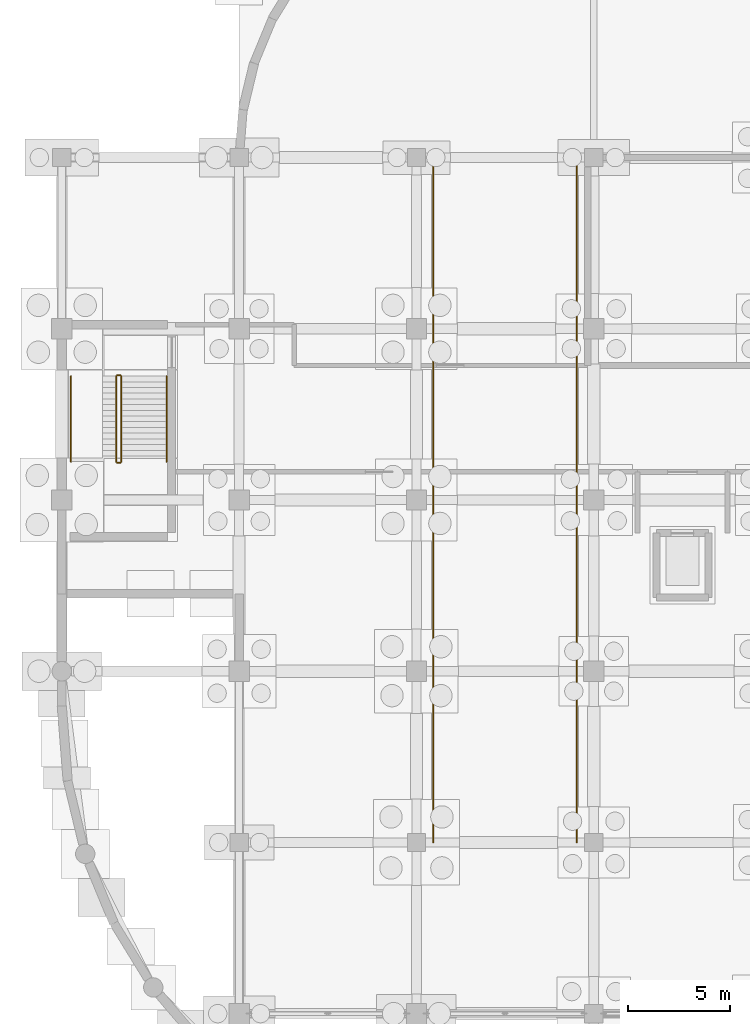
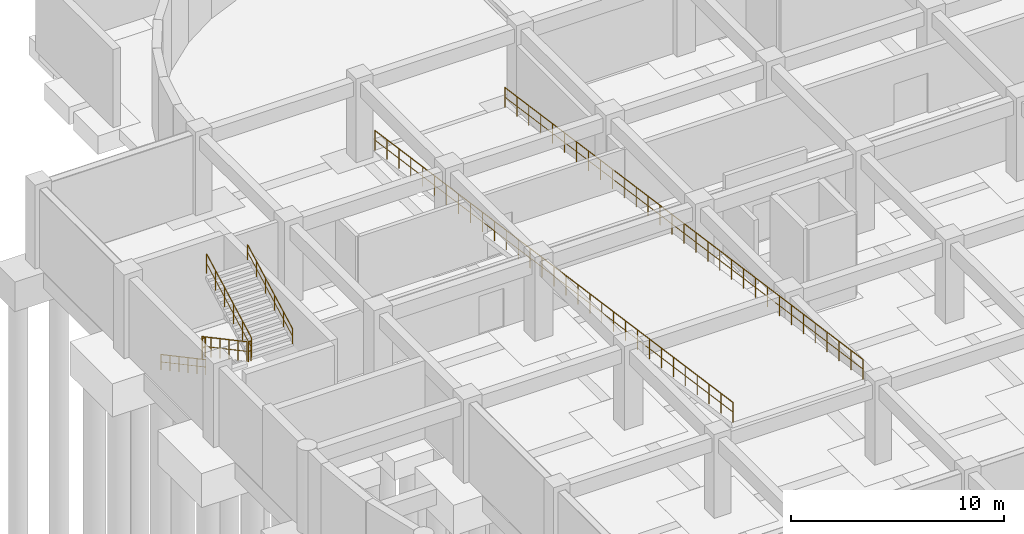
# One storey, part 30 of 33: 8 railings.
"""IFC4 building model written with IfcOpenShell, lengths in metres."""

from ifc_helpers import new_model, si_unit, derived_unit, direction, frame, origin, origin_2d, place, context, subcontext, project, spatial, circle, extrude, material, type_object, element, save


model = new_model("IFC4")

# Units and contexts
model_context = context("Model", 3, precision=1e-05, world=origin(), true_north=direction((0.0, 1.0)))
body_context = subcontext(model_context, "Body", "Model", "MODEL_VIEW")
ifc_project = project(units=[si_unit("LENGTHUNIT", "METRE"), si_unit("AREAUNIT", "SQUARE_METRE"), si_unit("VOLUMEUNIT", "CUBIC_METRE"), si_unit("PLANEANGLEUNIT", "RADIAN"), si_unit("MASSUNIT", "GRAM", prefix="KILO"), derived_unit("THERMALTRANSMITTANCEUNIT", [(si_unit("MASSUNIT", "GRAM", prefix="KILO"), 1), (si_unit("TIMEUNIT", "SECOND"), -3), (si_unit("THERMODYNAMICTEMPERATUREUNIT", "KELVIN"), -1)])], contexts=[model_context])

# Site, building, storey
site_placement = place(None, origin())
site = spatial("IfcSite", under=ifc_project, at=site_placement, CompositionType="ELEMENT")
building_placement = place(site_placement, origin())
building = spatial("IfcBuilding", under=site, at=building_placement, Name="Qinzheling Arcade Emporium", CompositionType="ELEMENT")
storey_placement = place(building_placement, frame((0.0, 0.0, -9.60009765625)))
storey = spatial("IfcBuildingStorey", under=building, at=storey_placement, Name="B2", CompositionType="ELEMENT", Elevation=-9.60009765625)

# Railings
ifc_material_1 = material(Name="Galvanised powder-coated tubular steel", Category="steel")
railing_type_1 = type_object("IfcRailingType", Name="Painted Steel Stairwell Guard Railing 1150", PredefinedType="GUARDRAIL", material=ifc_material_1)
railing_1_placement = place(storey_placement, frame((2.669921875, 39.679931640625, 0.150146484375)))
element("IfcRailing", 1, at=railing_1_placement, inside=storey, type_object=railing_type_1, Name="B2 ST02 stair guard 1", PredefinedType="GUARDRAIL", context=body_context, shape_type="SweptSolid", body=[
    extrude(circle(Radius=0.02392578125, at=origin_2d()), frame((0.0, 0.0, 1.1259765625), z_axis=(0.0, -0.881477684796, 0.472225678258), x_axis=(1.0, 0.0, 0.0)), (0.0, 0.0, 1.0), 4.7646484375),
    extrude(circle(Radius=0.01611328125, at=origin_2d()), frame((0.0, 0.0, 0.574951171875), z_axis=(0.0, -0.881477684796, 0.472225678258), x_axis=(1.0, 0.0, 0.0)), (0.0, 0.0, 1.0), 4.7646484375),
    extrude(circle(Radius=0.02099609375, at=origin_2d()), origin(), (0.0, 0.0, 1.0), 1.101806640625),
    extrude(circle(Radius=0.02099609375, at=origin_2d()), frame((0.0, -0.840087890625, 0.449951171875)), (0.0, 0.0, 1.0), 1.101806640625),
    extrude(circle(Radius=0.02099609375, at=origin_2d()), frame((0.0, -1.679931640625, 0.89990234375)), (0.0, 0.0, 1.0), 1.101806640625),
    extrude(circle(Radius=0.02099609375, at=origin_2d()), frame((0.0, -2.52001953125, 1.35009765625)), (0.0, 0.0, 1.0), 1.101806640625),
    extrude(circle(Radius=0.02099609375, at=origin_2d()), frame((0.0, -3.35986328125, 1.800048828125)), (0.0, 0.0, 1.0), 1.101806640625),
    extrude(circle(Radius=0.02099609375, at=origin_2d()), frame((0.0, -4.199951171875, 2.25)), (0.0, 0.0, 1.0), 1.101806640625),
])
railing_2_placement = place(storey_placement, frame((2.719970703125, 35.429931640625, 2.400146484375)))
element("IfcRailing", 2, at=railing_2_placement, inside=storey, type_object=railing_type_1, Name="B2 ST02 stair guard 2", PredefinedType="GUARDRAIL", context=body_context, shape_type="SweptSolid", body=[
    extrude(circle(Radius=0.02392578125, at=origin_2d()), frame((0.0, 0.0, 1.1259765625), z_axis=(1.0, 0.0, 0.0), x_axis=(0.0, 1.0, 0.0)), (0.0, 0.0, 1.0), 0.150146484375),
    extrude(circle(Radius=0.01611328125, at=origin_2d()), frame((0.0, 0.0, 0.574951171875), z_axis=(1.0, 0.0, 0.0), x_axis=(0.0, 1.0, 0.0)), (0.0, 0.0, 1.0), 0.150146484375),
    extrude(circle(Radius=0.02099609375, at=origin_2d()), origin(), (0.0, 0.0, 1.0), 1.101806640625),
    extrude(circle(Radius=0.02099609375, at=origin_2d()), frame((0.150146484375, 0.0, 0.0)), (0.0, 0.0, 1.0), 1.101806640625),
])
railing_3_placement = place(storey_placement, frame((2.919921875, 35.47998046875, 2.550048828125)))
element("IfcRailing", 3, at=railing_3_placement, inside=storey, type_object=railing_type_1, Name="B2 ST02 stair guard 3", PredefinedType="GUARDRAIL", context=body_context, shape_type="SweptSolid", body=[
    extrude(circle(Radius=0.02392578125, at=origin_2d()), frame((0.0, 0.0, 1.1259765625), z_axis=(0.0, 0.881477684796, 0.472225678258), x_axis=(-1.0, 0.0, 0.0)), (0.0, 0.0, 1.0), 4.7646484375),
    extrude(circle(Radius=0.01611328125, at=origin_2d()), frame((0.0, 0.0, 0.574951171875), z_axis=(0.0, 0.881477684796, 0.472225678258), x_axis=(-1.0, 0.0, 0.0)), (0.0, 0.0, 1.0), 4.7646484375),
    extrude(circle(Radius=0.02099609375, at=origin_2d()), origin(), (0.0, 0.0, 1.0), 1.101806640625),
    extrude(circle(Radius=0.02099609375, at=origin_2d()), frame((0.0, 0.840087890625, 0.449951171875)), (0.0, 0.0, 1.0), 1.101806640625),
    extrude(circle(Radius=0.02099609375, at=origin_2d()), frame((0.0, 1.679931640625, 0.89990234375)), (0.0, 0.0, 1.0), 1.101806640625),
    extrude(circle(Radius=0.02099609375, at=origin_2d()), frame((0.0, 2.52001953125, 1.35009765625)), (0.0, 0.0, 1.0), 1.101806640625),
    extrude(circle(Radius=0.02099609375, at=origin_2d()), frame((0.0, 3.35986328125, 1.800048828125)), (0.0, 0.0, 1.0), 1.101806640625),
    extrude(circle(Radius=0.02099609375, at=origin_2d()), frame((0.0, 4.199951171875, 2.25)), (0.0, 0.0, 1.0), 1.101806640625),
])
railing_4_placement = place(storey_placement, frame((2.719970703125, 39.72998046875, 0.0)))
element("IfcRailing", 4, at=railing_4_placement, inside=storey, type_object=railing_type_1, Name="B2 ST02 stair guard 4", PredefinedType="GUARDRAIL", context=body_context, shape_type="SweptSolid", body=[
    extrude(circle(Radius=0.02392578125, at=origin_2d()), frame((0.0, 0.0, 1.1259765625), z_axis=(1.0, 0.0, 0.0), x_axis=(0.0, 1.0, 0.0)), (0.0, 0.0, 1.0), 0.150146484375),
    extrude(circle(Radius=0.01611328125, at=origin_2d()), frame((0.0, 0.0, 0.574951171875), z_axis=(1.0, 0.0, 0.0), x_axis=(0.0, 1.0, 0.0)), (0.0, 0.0, 1.0), 0.150146484375),
    extrude(circle(Radius=0.02099609375, at=origin_2d()), origin(), (0.0, 0.0, 1.0), 1.101806640625),
    extrude(circle(Radius=0.02099609375, at=origin_2d()), frame((0.150146484375, 0.0, 0.0)), (0.0, 0.0, 1.0), 1.101806640625),
])
railing_5_placement = place(storey_placement, frame((18.22998046875, 50.39990234375, 0.0)))
element("IfcRailing", 5, at=railing_5_placement, inside=storey, type_object=railing_type_1, Name="Vehicle Ramp Guard RAMP-VR2 W", PredefinedType="GUARDRAIL", context=body_context, shape_type="SweptSolid", body=[
    extrude(circle(Radius=0.02392578125, at=origin_2d()), frame((0.0, 0.0, 1.1259765625), z_axis=(0.0, -0.989949205935, 0.141423370303), x_axis=(1.0, 0.0, 0.0)), (0.0, 0.0, 1.0), 33.94091796875),
    extrude(circle(Radius=0.01611328125, at=origin_2d()), frame((0.0, 0.0, 0.574951171875), z_axis=(0.0, -0.989949205935, 0.141423370303), x_axis=(1.0, 0.0, 0.0)), (0.0, 0.0, 1.0), 33.94091796875),
    extrude(circle(Radius=0.02099609375, at=origin_2d()), origin(), (0.0, 0.0, 1.0), 1.101806640625),
    extrude(circle(Radius=0.02099609375, at=origin_2d()), frame((0.0, -1.1201171875, 0.159912109375)), (0.0, 0.0, 1.0), 1.101806640625),
    extrude(circle(Radius=0.02099609375, at=origin_2d()), frame((0.0, -2.239990234375, 0.320068359375)), (0.0, 0.0, 1.0), 1.101806640625),
    extrude(circle(Radius=0.02099609375, at=origin_2d()), frame((0.0, -3.35986328125, 0.47998046875)), (0.0, 0.0, 1.0), 1.101806640625),
    extrude(circle(Radius=0.02099609375, at=origin_2d()), frame((0.0, -4.47998046875, 0.639892578125)), (0.0, 0.0, 1.0), 1.101806640625),
    extrude(circle(Radius=0.02099609375, at=origin_2d()), frame((0.0, -5.60009765625, 0.800048828125)), (0.0, 0.0, 1.0), 1.101806640625),
    extrude(circle(Radius=0.02099609375, at=origin_2d()), frame((0.0, -6.719970703125, 0.9599609375)), (0.0, 0.0, 1.0), 1.101806640625),
    extrude(circle(Radius=0.02099609375, at=origin_2d()), frame((0.0, -7.83984375, 1.1201171875)), (0.0, 0.0, 1.0), 1.101806640625),
    extrude(circle(Radius=0.02099609375, at=origin_2d()), frame((0.0, -8.9599609375, 1.280029296875)), (0.0, 0.0, 1.0), 1.101806640625),
    extrude(circle(Radius=0.02099609375, at=origin_2d()), frame((0.0, -10.080078125, 1.43994140625)), (0.0, 0.0, 1.0), 1.101806640625),
    extrude(circle(Radius=0.02099609375, at=origin_2d()), frame((0.0, -11.199951171875, 1.60009765625)), (0.0, 0.0, 1.0), 1.101806640625),
    extrude(circle(Radius=0.02099609375, at=origin_2d()), frame((0.0, -12.31982421875, 1.760009765625)), (0.0, 0.0, 1.0), 1.101806640625),
    extrude(circle(Radius=0.02099609375, at=origin_2d()), frame((0.0, -13.43994140625, 1.919921875)), (0.0, 0.0, 1.0), 1.101806640625),
    extrude(circle(Radius=0.02099609375, at=origin_2d()), frame((0.0, -14.56005859375, 2.080078125)), (0.0, 0.0, 1.0), 1.101806640625),
    extrude(circle(Radius=0.02099609375, at=origin_2d()), frame((0.0, -15.679931640625, 2.239990234375)), (0.0, 0.0, 1.0), 1.101806640625),
    extrude(circle(Radius=0.02099609375, at=origin_2d()), frame((0.0, -16.7998046875, 2.39990234375)), (0.0, 0.0, 1.0), 1.101806640625),
    extrude(circle(Radius=0.02099609375, at=origin_2d()), frame((0.0, -17.919921875, 2.56005859375)), (0.0, 0.0, 1.0), 1.101806640625),
    extrude(circle(Radius=0.02099609375, at=origin_2d()), frame((0.0, -19.0400390625, 2.719970703125)), (0.0, 0.0, 1.0), 1.101806640625),
    extrude(circle(Radius=0.02099609375, at=origin_2d()), frame((0.0, -20.159912109375, 2.880126953125)), (0.0, 0.0, 1.0), 1.101806640625),
    extrude(circle(Radius=0.02099609375, at=origin_2d()), frame((0.0, -21.27978515625, 3.0400390625)), (0.0, 0.0, 1.0), 1.101806640625),
    extrude(circle(Radius=0.02099609375, at=origin_2d()), frame((0.0, -22.39990234375, 3.199951171875)), (0.0, 0.0, 1.0), 1.101806640625),
    extrude(circle(Radius=0.02099609375, at=origin_2d()), frame((0.0, -23.52001953125, 3.360107421875)), (0.0, 0.0, 1.0), 1.101806640625),
    extrude(circle(Radius=0.02099609375, at=origin_2d()), frame((0.0, -24.639892578125, 3.52001953125)), (0.0, 0.0, 1.0), 1.101806640625),
    extrude(circle(Radius=0.02099609375, at=origin_2d()), frame((0.0, -25.759765625, 3.679931640625)), (0.0, 0.0, 1.0), 1.101806640625),
    extrude(circle(Radius=0.02099609375, at=origin_2d()), frame((0.0, -26.8798828125, 3.840087890625)), (0.0, 0.0, 1.0), 1.101806640625),
    extrude(circle(Radius=0.02099609375, at=origin_2d()), frame((0.0, -28.0, 4.0)), (0.0, 0.0, 1.0), 1.101806640625),
    extrude(circle(Radius=0.02099609375, at=origin_2d()), frame((0.0, -29.119873046875, 4.16015625)), (0.0, 0.0, 1.0), 1.101806640625),
    extrude(circle(Radius=0.02099609375, at=origin_2d()), frame((0.0, -30.23974609375, 4.320068359375)), (0.0, 0.0, 1.0), 1.101806640625),
    extrude(circle(Radius=0.02099609375, at=origin_2d()), frame((0.0, -31.35986328125, 4.47998046875)), (0.0, 0.0, 1.0), 1.101806640625),
    extrude(circle(Radius=0.02099609375, at=origin_2d()), frame((0.0, -32.47998046875, 4.64013671875)), (0.0, 0.0, 1.0), 1.101806640625),
    extrude(circle(Radius=0.02099609375, at=origin_2d()), frame((0.0, -33.599853515625, 4.800048828125)), (0.0, 0.0, 1.0), 1.101806640625),
])
railing_6_placement = place(storey_placement, frame((25.27001953125, 50.39990234375, 0.0)))
element("IfcRailing", 6, at=railing_6_placement, inside=storey, type_object=railing_type_1, Name="Vehicle Ramp Guard RAMP-VR2 E", PredefinedType="GUARDRAIL", context=body_context, shape_type="SweptSolid", body=[
    extrude(circle(Radius=0.02392578125, at=origin_2d()), frame((0.0, 0.0, 1.1259765625), z_axis=(0.0, -0.989949205935, 0.141423370303), x_axis=(1.0, 0.0, 0.0)), (0.0, 0.0, 1.0), 33.94091796875),
    extrude(circle(Radius=0.01611328125, at=origin_2d()), frame((0.0, 0.0, 0.574951171875), z_axis=(0.0, -0.989949205935, 0.141423370303), x_axis=(1.0, 0.0, 0.0)), (0.0, 0.0, 1.0), 33.94091796875),
    extrude(circle(Radius=0.02099609375, at=origin_2d()), origin(), (0.0, 0.0, 1.0), 1.101806640625),
    extrude(circle(Radius=0.02099609375, at=origin_2d()), frame((0.0, -1.1201171875, 0.159912109375)), (0.0, 0.0, 1.0), 1.101806640625),
    extrude(circle(Radius=0.02099609375, at=origin_2d()), frame((0.0, -2.239990234375, 0.320068359375)), (0.0, 0.0, 1.0), 1.101806640625),
    extrude(circle(Radius=0.02099609375, at=origin_2d()), frame((0.0, -3.35986328125, 0.47998046875)), (0.0, 0.0, 1.0), 1.101806640625),
    extrude(circle(Radius=0.02099609375, at=origin_2d()), frame((0.0, -4.47998046875, 0.639892578125)), (0.0, 0.0, 1.0), 1.101806640625),
    extrude(circle(Radius=0.02099609375, at=origin_2d()), frame((0.0, -5.60009765625, 0.800048828125)), (0.0, 0.0, 1.0), 1.101806640625),
    extrude(circle(Radius=0.02099609375, at=origin_2d()), frame((0.0, -6.719970703125, 0.9599609375)), (0.0, 0.0, 1.0), 1.101806640625),
    extrude(circle(Radius=0.02099609375, at=origin_2d()), frame((0.0, -7.83984375, 1.1201171875)), (0.0, 0.0, 1.0), 1.101806640625),
    extrude(circle(Radius=0.02099609375, at=origin_2d()), frame((0.0, -8.9599609375, 1.280029296875)), (0.0, 0.0, 1.0), 1.101806640625),
    extrude(circle(Radius=0.02099609375, at=origin_2d()), frame((0.0, -10.080078125, 1.43994140625)), (0.0, 0.0, 1.0), 1.101806640625),
    extrude(circle(Radius=0.02099609375, at=origin_2d()), frame((0.0, -11.199951171875, 1.60009765625)), (0.0, 0.0, 1.0), 1.101806640625),
    extrude(circle(Radius=0.02099609375, at=origin_2d()), frame((0.0, -12.31982421875, 1.760009765625)), (0.0, 0.0, 1.0), 1.101806640625),
    extrude(circle(Radius=0.02099609375, at=origin_2d()), frame((0.0, -13.43994140625, 1.919921875)), (0.0, 0.0, 1.0), 1.101806640625),
    extrude(circle(Radius=0.02099609375, at=origin_2d()), frame((0.0, -14.56005859375, 2.080078125)), (0.0, 0.0, 1.0), 1.101806640625),
    extrude(circle(Radius=0.02099609375, at=origin_2d()), frame((0.0, -15.679931640625, 2.239990234375)), (0.0, 0.0, 1.0), 1.101806640625),
    extrude(circle(Radius=0.02099609375, at=origin_2d()), frame((0.0, -16.7998046875, 2.39990234375)), (0.0, 0.0, 1.0), 1.101806640625),
    extrude(circle(Radius=0.02099609375, at=origin_2d()), frame((0.0, -17.919921875, 2.56005859375)), (0.0, 0.0, 1.0), 1.101806640625),
    extrude(circle(Radius=0.02099609375, at=origin_2d()), frame((0.0, -19.0400390625, 2.719970703125)), (0.0, 0.0, 1.0), 1.101806640625),
    extrude(circle(Radius=0.02099609375, at=origin_2d()), frame((0.0, -20.159912109375, 2.880126953125)), (0.0, 0.0, 1.0), 1.101806640625),
    extrude(circle(Radius=0.02099609375, at=origin_2d()), frame((0.0, -21.27978515625, 3.0400390625)), (0.0, 0.0, 1.0), 1.101806640625),
    extrude(circle(Radius=0.02099609375, at=origin_2d()), frame((0.0, -22.39990234375, 3.199951171875)), (0.0, 0.0, 1.0), 1.101806640625),
    extrude(circle(Radius=0.02099609375, at=origin_2d()), frame((0.0, -23.52001953125, 3.360107421875)), (0.0, 0.0, 1.0), 1.101806640625),
    extrude(circle(Radius=0.02099609375, at=origin_2d()), frame((0.0, -24.639892578125, 3.52001953125)), (0.0, 0.0, 1.0), 1.101806640625),
    extrude(circle(Radius=0.02099609375, at=origin_2d()), frame((0.0, -25.759765625, 3.679931640625)), (0.0, 0.0, 1.0), 1.101806640625),
    extrude(circle(Radius=0.02099609375, at=origin_2d()), frame((0.0, -26.8798828125, 3.840087890625)), (0.0, 0.0, 1.0), 1.101806640625),
    extrude(circle(Radius=0.02099609375, at=origin_2d()), frame((0.0, -28.0, 4.0)), (0.0, 0.0, 1.0), 1.101806640625),
    extrude(circle(Radius=0.02099609375, at=origin_2d()), frame((0.0, -29.119873046875, 4.16015625)), (0.0, 0.0, 1.0), 1.101806640625),
    extrude(circle(Radius=0.02099609375, at=origin_2d()), frame((0.0, -30.23974609375, 4.320068359375)), (0.0, 0.0, 1.0), 1.101806640625),
    extrude(circle(Radius=0.02099609375, at=origin_2d()), frame((0.0, -31.35986328125, 4.47998046875)), (0.0, 0.0, 1.0), 1.101806640625),
    extrude(circle(Radius=0.02099609375, at=origin_2d()), frame((0.0, -32.47998046875, 4.64013671875)), (0.0, 0.0, 1.0), 1.101806640625),
    extrude(circle(Radius=0.02099609375, at=origin_2d()), frame((0.0, -33.599853515625, 4.800048828125)), (0.0, 0.0, 1.0), 1.101806640625),
])
ifc_material_2 = material(Name="Brushed stainless steel 304", Category="steel")
railing_type_2 = type_object("IfcRailingType", Name="Stainless Steel Wall Handrail 900", PredefinedType="HANDRAIL", material=ifc_material_2)
railing_7_placement = place(storey_placement, frame((0.449951171875, 39.679931640625, 0.150146484375)))
element("IfcRailing", 7, at=railing_7_placement, inside=storey, type_object=railing_type_2, Name="B2 ST02 stair handrail 1", PredefinedType="HANDRAIL", context=body_context, shape_type="SweptSolid", body=[
    extrude(circle(Radius=0.02392578125, at=origin_2d()), frame((0.0, 0.0, 0.8759765625), z_axis=(0.0, -0.881477684796, 0.472225678258), x_axis=(1.0, 0.0, 0.0)), (0.0, 0.0, 1.0), 4.7646484375),
    extrude(circle(Radius=0.01611328125, at=origin_2d()), frame((0.0, 0.0, 0.449951171875), z_axis=(0.0, -0.881477684796, 0.472225678258), x_axis=(1.0, 0.0, 0.0)), (0.0, 0.0, 1.0), 4.7646484375),
    extrude(circle(Radius=0.02099609375, at=origin_2d()), origin(), (0.0, 0.0, 1.0), 0.851806640625),
    extrude(circle(Radius=0.02099609375, at=origin_2d()), frame((0.0, -0.840087890625, 0.449951171875)), (0.0, 0.0, 1.0), 0.851806640625),
    extrude(circle(Radius=0.02099609375, at=origin_2d()), frame((0.0, -1.679931640625, 0.89990234375)), (0.0, 0.0, 1.0), 0.851806640625),
    extrude(circle(Radius=0.02099609375, at=origin_2d()), frame((0.0, -2.52001953125, 1.35009765625)), (0.0, 0.0, 1.0), 0.851806640625),
    extrude(circle(Radius=0.02099609375, at=origin_2d()), frame((0.0, -3.35986328125, 1.800048828125)), (0.0, 0.0, 1.0), 0.851806640625),
    extrude(circle(Radius=0.02099609375, at=origin_2d()), frame((0.0, -4.199951171875, 2.25)), (0.0, 0.0, 1.0), 0.851806640625),
])
railing_8_placement = place(storey_placement, frame((5.139892578125, 35.47998046875, 2.550048828125)))
element("IfcRailing", 8, at=railing_8_placement, inside=storey, type_object=railing_type_2, Name="B2 ST02 stair handrail 2", PredefinedType="HANDRAIL", context=body_context, shape_type="SweptSolid", body=[
    extrude(circle(Radius=0.02392578125, at=origin_2d()), frame((0.0, 0.0, 0.8759765625), z_axis=(0.0, 0.881477684796, 0.472225678258), x_axis=(-1.0, 0.0, 0.0)), (0.0, 0.0, 1.0), 4.7646484375),
    extrude(circle(Radius=0.01611328125, at=origin_2d()), frame((0.0, 0.0, 0.449951171875), z_axis=(0.0, 0.881477684796, 0.472225678258), x_axis=(-1.0, 0.0, 0.0)), (0.0, 0.0, 1.0), 4.7646484375),
    extrude(circle(Radius=0.02099609375, at=origin_2d()), origin(), (0.0, 0.0, 1.0), 0.851806640625),
    extrude(circle(Radius=0.02099609375, at=origin_2d()), frame((0.0, 0.840087890625, 0.449951171875)), (0.0, 0.0, 1.0), 0.851806640625),
    extrude(circle(Radius=0.02099609375, at=origin_2d()), frame((0.0, 1.679931640625, 0.89990234375)), (0.0, 0.0, 1.0), 0.851806640625),
    extrude(circle(Radius=0.02099609375, at=origin_2d()), frame((0.0, 2.52001953125, 1.35009765625)), (0.0, 0.0, 1.0), 0.851806640625),
    extrude(circle(Radius=0.02099609375, at=origin_2d()), frame((0.0, 3.35986328125, 1.800048828125)), (0.0, 0.0, 1.0), 0.851806640625),
    extrude(circle(Radius=0.02099609375, at=origin_2d()), frame((0.0, 4.199951171875, 2.25)), (0.0, 0.0, 1.0), 0.851806640625),
])

save(model, "model.ifc")
